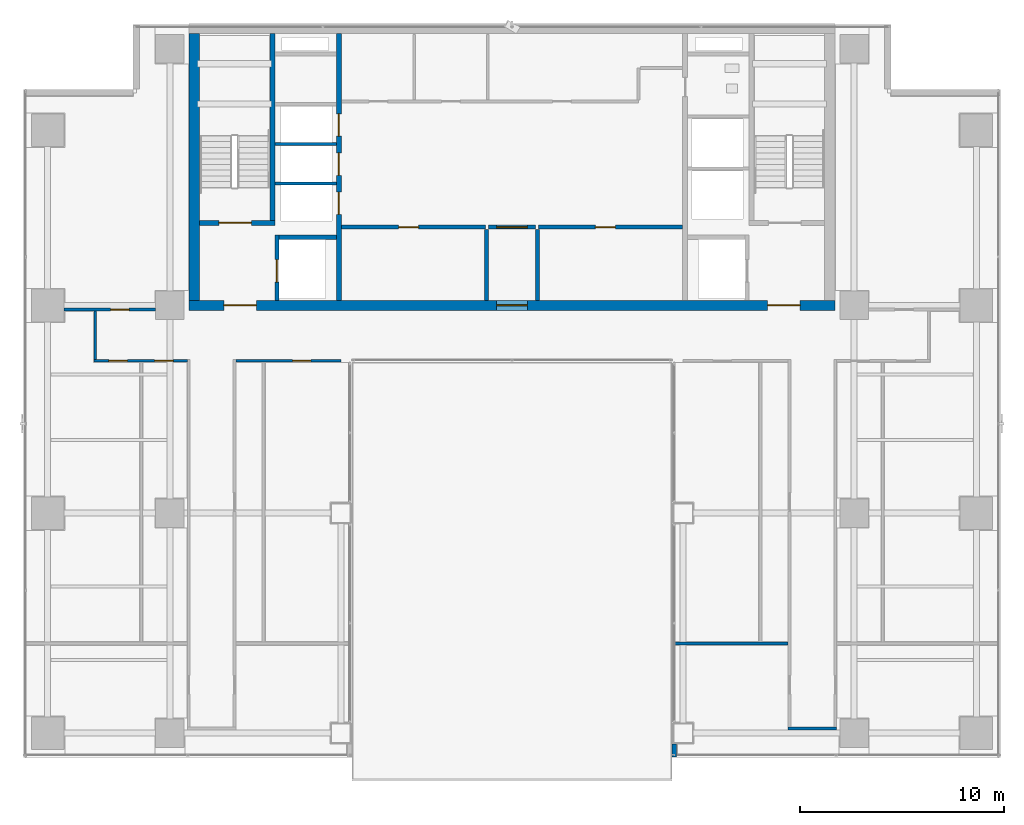
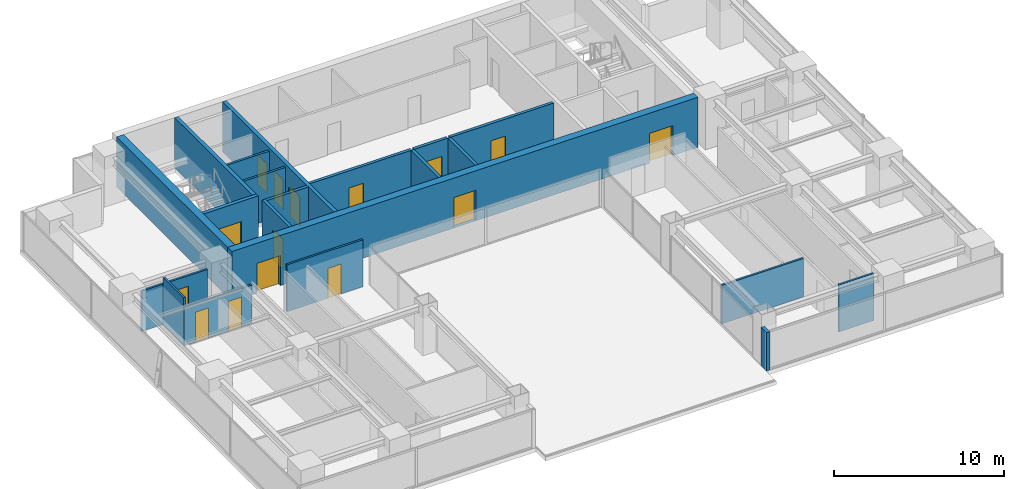
# One storey, part 24 of 30: 21 walls, 15 doors, 15 openings.
"""IFC4 building model written with IfcOpenShell, lengths in metres."""

import ifcopenshell
import ifcopenshell.guid

model = None  # the IFC model being written
_history = None  # IfcOwnerHistory: only IFC2X3 demands one
_inside = {}  # id of a spatial element -> (the spatial element, [elements in it])
_under = {}  # id of a project, library or spatial element -> (it, [spatial elements below it])
_declared = {}  # id of a project -> (the project, [libraries it declares])
_typed = {}  # id of a type object -> (the type object, [elements of that type])
_made_of = {}  # id of a material, layer set ... -> (it, [elements and type objects made of it])


def new_model(schema):
    """Start an empty IFC model of exactly this schema.

    Asked for "IFC4X3", IfcOpenShell would pick the latest addendum, in which some entities
    have other attributes; the version numbers below select the first issue.
    IFC2X3 requires an IfcOwnerHistory on every rooted entity: one is made here for all.
    """
    global model, _history
    if schema == "IFC4X3":
        model = ifcopenshell.file(schema_version=(4, 3, 0, 0))
    else:
        model = ifcopenshell.file(schema=schema)
    _inside.clear()
    _under.clear()
    _declared.clear()
    _typed.clear()
    _made_of.clear()
    _history = None
    if model.schema == "IFC2X3":
        org = make("IfcOrganization", Name="unknown")
        user = make(
            "IfcPersonAndOrganization",
            ThePerson=make("IfcPerson", FamilyName="unknown"),
            TheOrganization=org,
        )
        app = make(
            "IfcApplication",
            ApplicationDeveloper=org,
            Version="unknown",
            ApplicationFullName="unknown",
            ApplicationIdentifier="unknown",
        )
        _history = make(
            "IfcOwnerHistory",
            OwningUser=user,
            OwningApplication=app,
            ChangeAction="ADDED",
            CreationDate=0,
        )
    return model


def make(cls, **values):
    """One entity of the class cls with the attributes given. An attribute that is None is left unset."""
    return model.create_entity(
        cls, **{name: value for name, value in values.items() if value is not None}
    )


def rooted(cls, **values):
    """An entity with a GlobalId (a new one), such as an element, a storey or a relation."""
    return make(cls, GlobalId=ifcopenshell.guid.new(), OwnerHistory=_history, **values)


def si_unit(unit_type, name, prefix=None):
    """IfcSIUnit, for example si_unit("LENGTHUNIT", "METRE", prefix="MILLI")."""
    return make("IfcSIUnit", UnitType=unit_type, Prefix=prefix, Name=name)


def assignment(units):
    """IfcUnitAssignment: the units of a project."""
    return None if units is None else make("IfcUnitAssignment", Units=units)


def point(xyz):
    """IfcCartesianPoint."""
    return None if xyz is None else make("IfcCartesianPoint", Coordinates=xyz)


def direction(xyz):
    """IfcDirection."""
    return None if xyz is None else make("IfcDirection", DirectionRatios=xyz)


def frame(location, z_axis=None, x_axis=None):
    """IfcAxis2Placement3D, a coordinate frame: its origin and axes. An axis left out is left unset."""
    return make(
        "IfcAxis2Placement3D",
        Location=point(location),
        Axis=direction(z_axis),
        RefDirection=direction(x_axis),
    )


def frame_2d(location, x_axis=None):
    """IfcAxis2Placement2D, a coordinate frame in the plane: its origin and x axis."""
    return make(
        "IfcAxis2Placement2D", Location=point(location), RefDirection=direction(x_axis)
    )


def origin():
    """The frame at (0, 0, 0) with its axes left unset."""
    return frame((0.0, 0.0, 0.0))


def place(relative_to, where):
    """IfcLocalPlacement: puts the frame where relative to a parent placement (None: the world)."""
    return make(
        "IfcLocalPlacement", PlacementRelTo=relative_to, RelativePlacement=where
    )


def context(
    kind, dimensions, precision=None, world=None, true_north=None, identifier=None
):
    """IfcGeometricRepresentationContext, for example the 3D "Model" context."""
    return make(
        "IfcGeometricRepresentationContext",
        ContextIdentifier=identifier,
        ContextType=kind,
        CoordinateSpaceDimension=dimensions,
        Precision=precision,
        WorldCoordinateSystem=world,
        TrueNorth=true_north,
    )


def subcontext(parent, identifier, kind, view, scale=None):
    """IfcGeometricRepresentationSubContext, for example "Body" below "Model"."""
    return make(
        "IfcGeometricRepresentationSubContext",
        ContextIdentifier=identifier,
        ContextType=kind,
        ParentContext=parent,
        TargetScale=scale,
        TargetView=view,
    )


def project(units=None, contexts=None):
    """IfcProject with its units and contexts."""
    return rooted(
        "IfcProject",
        Name="project",
        RepresentationContexts=contexts,
        UnitsInContext=assignment(units),
    )


def spatial(cls, under=None, at=None, **own):
    """A site, building, storey or space (cls), placed at a placement, below another one or the project."""
    s = rooted(cls, ObjectPlacement=at, **own)
    if under is not None:
        _under.setdefault(under.id(), (under, []))[1].append(s)
    return s


def profile(cls, at=None, kind="AREA", **sizes):
    """A parametric profile (cls). Its sizes go by their IFC names, for example OverallWidth=200.0."""
    return make(cls, ProfileType=kind, Position=at, **sizes)


def rectangle(**sizes):
    """IfcRectangleProfileDef."""
    return profile("IfcRectangleProfileDef", **sizes)


def extrude(swept, where, along, depth):
    """IfcExtrudedAreaSolid: the profile swept, set in the frame where, extruded along a direction by depth."""
    return make(
        "IfcExtrudedAreaSolid",
        SweptArea=swept,
        Position=where,
        ExtrudedDirection=direction(along),
        Depth=depth,
    )


def shape(context_of_items, identifier, shape_type, items):
    """IfcShapeRepresentation: the items that make up one representation, for example the "Body"."""
    return make(
        "IfcShapeRepresentation",
        ContextOfItems=context_of_items,
        RepresentationIdentifier=identifier,
        RepresentationType=shape_type,
        Items=items,
    )


def source(mapping_origin, context_of_items, identifier, shape_type, items):
    """IfcRepresentationMap: a shape defined once, which mapped items show again and again."""
    return make(
        "IfcRepresentationMap",
        MappingOrigin=mapping_origin,
        MappedRepresentation=shape(context_of_items, identifier, shape_type, items),
    )


def transform(
    local_origin,
    x_axis=None,
    y_axis=None,
    z_axis=None,
    scale=None,
    scale2=None,
    scale3=None,
    uniform=True,
):
    """IfcCartesianTransformationOperator3D, or its non-uniform kind. x_axis, y_axis, z_axis: its Axis1, 2, 3."""
    if uniform:
        return make(
            "IfcCartesianTransformationOperator3D",
            Axis1=direction(x_axis),
            Axis2=direction(y_axis),
            LocalOrigin=point(local_origin),
            Scale=scale,
            Axis3=direction(z_axis),
        )
    return make(
        "IfcCartesianTransformationOperator3DnonUniform",
        Axis1=direction(x_axis),
        Axis2=direction(y_axis),
        LocalOrigin=point(local_origin),
        Scale=scale,
        Axis3=direction(z_axis),
        Scale2=scale2,
        Scale3=scale3,
    )


def mapped(mapping_source, mapping_target):
    """IfcMappedItem: shows the shape of a source again, moved by a transform."""
    return make(
        "IfcMappedItem", MappingSource=mapping_source, MappingTarget=mapping_target
    )


def material(Name=None, Category=None):
    """IfcMaterial."""
    return make("IfcMaterial", Name=Name, Category=Category)


def layer(
    of_material, thickness, ventilated=None, Name=None, Category=None, Priority=None
):
    """IfcMaterialLayer: one layer of a wall or slab, of a material (None: an air gap)."""
    return make(
        "IfcMaterialLayer",
        Material=of_material,
        LayerThickness=thickness,
        IsVentilated=ventilated,
        Name=Name,
        Category=Category,
        Priority=Priority,
    )


def layer_set(layers, Name=None):
    """IfcMaterialLayerSet."""
    return make("IfcMaterialLayerSet", MaterialLayers=layers, LayerSetName=Name)


def made_of(thing, what):
    """Note that an element or type object is made of a material, layer set ...; save() writes the relation."""
    if what is not None:
        _made_of.setdefault(what.id(), (what, []))[1].append(thing)
    return thing


def type_object(cls, material=None, **own):
    """A type object (cls), such as IfcWallType, which elements share."""
    return made_of(rooted(cls, **own), material)


def element(
    cls,
    number,
    at=None,
    inside=None,
    cuts=None,
    type_object=None,
    material=None,
    context=None,
    identifier="Body",
    shape_type=None,
    held_by="IfcProductDefinitionShape",
    body=None,
    shapes=None,
    **own,
):
    """One element of the class cls, such as IfcWall. Its Tag is "e" and its number.

    at: its placement. inside: the storey or other place that contains it. cuts: it is an
    opening in that element (IfcRelVoidsElement). A single representation is given by context,
    identifier, shape_type and body (its items); several are given by shapes. held_by: the class
    of the entity that holds the representations. save() writes the other relations.
    """
    e = rooted(cls, Tag="e%d" % number, ObjectPlacement=at, **own)
    if body is not None:
        shapes = [shape(context, identifier, shape_type, body)]
    if shapes is not None:
        e.Representation = make(held_by, Representations=shapes)
    if inside is not None:
        _inside.setdefault(inside.id(), (inside, []))[1].append(e)
    if cuts is not None:
        rooted(
            "IfcRelVoidsElement", RelatingBuildingElement=cuts, RelatedOpeningElement=e
        )
    if type_object is not None:
        _typed.setdefault(type_object.id(), (type_object, []))[1].append(e)
    return made_of(e, material)


def fill(opening, filler):
    """IfcRelFillsElement: the door or window that sits in an opening."""
    return rooted(
        "IfcRelFillsElement",
        RelatingOpeningElement=opening,
        RelatedBuildingElement=filler,
    )


def aggregate(whole, parts):
    """IfcRelAggregates: a whole, such as a stair, and the parts it consists of."""
    return rooted("IfcRelAggregates", RelatingObject=whole, RelatedObjects=parts)


def save(model, path):
    """Write the relations noted so far, then the file.

    IfcRelAggregates (storeys below a building ...), IfcRelContainedInSpatialStructure (elements
    in a storey), IfcRelDefinesByType, IfcRelAssociatesMaterial and IfcRelDeclares: one each for
    every whole, place, type object, material and project.
    """
    for whole, parts in _under.values():
        aggregate(whole, parts)
    for where, things in _inside.values():
        rooted(
            "IfcRelContainedInSpatialStructure",
            RelatedElements=things,
            RelatingStructure=where,
        )
    for kind, things in _typed.values():
        rooted("IfcRelDefinesByType", RelatedObjects=things, RelatingType=kind)
    for what, things in _made_of.values():
        rooted("IfcRelAssociatesMaterial", RelatedObjects=things, RelatingMaterial=what)
    for by, libraries in _declared.values():
        rooted("IfcRelDeclares", RelatingContext=by, RelatedDefinitions=libraries)
    model.write(path)


model = new_model("IFC4")

# Units and contexts
model_context = context("Model", 3, precision=1e-05, world=origin(), true_north=direction((0.0, 1.0)))
body_context = subcontext(model_context, "Body", "Model", "MODEL_VIEW")
ifc_project = project(units=[si_unit("LENGTHUNIT", "METRE"), si_unit("AREAUNIT", "SQUARE_METRE"), si_unit("VOLUMEUNIT", "CUBIC_METRE"), si_unit("PLANEANGLEUNIT", "RADIAN"), si_unit("MASSUNIT", "GRAM", prefix="KILO")], contexts=[model_context])

# Site, building, storey
site_placement = place(None, origin())
site = spatial("IfcSite", under=ifc_project, at=site_placement, CompositionType="ELEMENT")
building_placement = place(site_placement, origin())
building = spatial("IfcBuilding", under=site, at=building_placement, Name="Sumidabori Civic Tower", CompositionType="ELEMENT")
storey_placement = place(building_placement, frame((0.0, 0.0, 196.39990234375)))
storey = spatial("IfcBuildingStorey", under=building, at=storey_placement, Name="L50", CompositionType="ELEMENT", Elevation=196.39990234375)

# Wall
ifc_material_1 = material(Name="Concrete C50/60", Category="concrete")
ifc_layer_1 = layer(ifc_material_1, 0.199951171875, Name="Concrete C50/60")
ifc_layer_set_1 = layer_set([ifc_layer_1], Name="Concrete C50/60")
wall_type_1 = type_object("IfcWallType", Name="WL-SHAFT-200", PredefinedType="SHEAR", material=ifc_layer_set_1)
shared_shape_1 = source(origin(), body_context, "Body", "SweptSolid", [
    extrude(rectangle(XDim=2.824951171875, YDim=0.199951171875, at=frame_2d((1.41259765625, 0.0))), origin(), (0.0, 0.0, 1.0), 3.60009765625),
])
wall_1_placement = place(storey_placement, frame((-11.449951171875, 13.550048828125, 0.0), z_axis=(0.0, 0.0, 1.0), x_axis=(1.0, 0.0, 0.0)))
element("IfcWall", 1, at=wall_1_placement, inside=storey, type_object=wall_type_1, Name="Core Shear Wall L50 EL1-N", PredefinedType="SHEAR", context=body_context, shape_type="MappedRepresentation", body=[
    mapped(shared_shape_1, transform((0.0, 0.0, 0.0), x_axis=(1.0, 0.0, 0.0), y_axis=(0.0, 1.0, 0.0), z_axis=(0.0, 0.0, 1.0), scale=1.0)),
])

# Wall, openings, doors
ifc_layer_2 = layer(ifc_material_1, 0.5, Name="Concrete C50/60")
ifc_layer_set_2 = layer_set([ifc_layer_2], Name="Concrete C50/60")
wall_type_2 = type_object("IfcWallType", Name="WL-CORE-500", PredefinedType="SHEAR", material=ifc_layer_set_2)
shared_shape_2 = source(origin(), body_context, "Body", "SweptSolid", [
    extrude(rectangle(XDim=31.7001953125, YDim=0.5, at=frame_2d((15.85009765625, 0.0))), origin(), (0.0, 0.0, 1.0), 3.60009765625),
])
wall_2_placement = place(storey_placement, frame((-15.85009765625, 10.199951171875, 0.0), z_axis=(0.0, 0.0, 1.0), x_axis=(1.0, 0.0, 0.0)))
wall_2 = element("IfcWall", 2, at=wall_2_placement, inside=storey, type_object=wall_type_2, Name="Core Shear Wall L50 S", PredefinedType="SHEAR", context=body_context, shape_type="MappedRepresentation", body=[
    mapped(shared_shape_2, transform((0.0, 0.0, 0.0), x_axis=(1.0, 0.0, 0.0), y_axis=(0.0, 1.0, 0.0), z_axis=(0.0, 0.0, 1.0), scale=1.0)),
])
opening_1_placement = place(wall_2_placement, frame((1.699951171875, 0.0, 0.0)))
opening_1 = element("IfcOpeningElement", 3, at=opening_1_placement, cuts=wall_2, Name="Opening DR-FD4", PredefinedType="OPENING", context=body_context, shape_type="SweptSolid", body=[
    extrude(rectangle(XDim=1.60009765625, YDim=2.14990234375, at=frame_2d((0.800048828125, 1.074951171875))), frame((0.0, 0.261962890625, 0.0), z_axis=(0.0, -1.0, 0.0), x_axis=(1.0, 0.0, 0.0)), (0.0, 0.0, 1.0), 0.52392578125),
])
opening_2_placement = place(wall_2_placement, frame((28.39990234375, 0.0, 0.0)))
opening_2 = element("IfcOpeningElement", 4, at=opening_2_placement, cuts=wall_2, Name="Opening DR-FD4", PredefinedType="OPENING", context=body_context, shape_type="SweptSolid", body=[
    extrude(rectangle(XDim=1.60009765625, YDim=2.14990234375, at=frame_2d((0.800048828125, 1.074951171875))), frame((0.0, 0.261962890625, 0.0), z_axis=(0.0, -1.0, 0.0), x_axis=(1.0, 0.0, 0.0)), (0.0, 0.0, 1.0), 0.52392578125),
])
opening_3_placement = place(wall_2_placement, frame((15.10009765625, 0.0, 0.0)))
opening_3 = element("IfcOpeningElement", 5, at=opening_3_placement, cuts=wall_2, Name="Opening DR-FD3", PredefinedType="OPENING", context=body_context, shape_type="SweptSolid", body=[
    extrude(rectangle(XDim=1.5, YDim=2.199951171875, at=frame_2d((0.75, 1.10009765625))), frame((0.0, 0.261962890625, 0.0), z_axis=(0.0, -1.0, 0.0), x_axis=(1.0, 0.0, 0.0)), (0.0, 0.0, 1.0), 0.52392578125),
])
ifc_material_2 = material(Name="Steel SN490", Category="steel")
door_type_1 = type_object("IfcDoorType", Name="DR-FD4", OperationType="DOUBLE_DOOR_SINGLE_SWING", PredefinedType="DOOR", material=ifc_material_2)
shared_shape_3 = source(origin(), body_context, "Body", "SweptSolid", [
    extrude(rectangle(XDim=1.60009765625, YDim=2.14990234375, at=frame_2d((0.800048828125, 1.074951171875))), frame((0.0, 0.02490234375, 0.0), z_axis=(0.0, -1.0, 0.0), x_axis=(1.0, 0.0, 0.0)), (0.0, 0.0, 1.0), 0.050048828125),
])
door_1_placement = place(opening_1_placement, origin())
door_1 = element("IfcDoor", 6, at=door_1_placement, inside=storey, type_object=door_type_1, Name="Door DR:L50:ELOB-W", OperationType="DOUBLE_DOOR_SINGLE_SWING", OverallHeight=2.14990234375, OverallWidth=1.60009765625, PredefinedType="DOOR", context=body_context, shape_type="MappedRepresentation", body=[
    mapped(shared_shape_3, transform((0.0, 0.0, 0.0), x_axis=(1.0, 0.0, 0.0), y_axis=(0.0, 1.0, 0.0), z_axis=(0.0, 0.0, 1.0), scale=1.0)),
])
fill(opening_1, door_1)
door_2_placement = place(opening_2_placement, origin())
door_2 = element("IfcDoor", 7, at=door_2_placement, inside=storey, type_object=door_type_1, Name="Door DR:L50:ELOB-E", OperationType="DOUBLE_DOOR_SINGLE_SWING", OverallHeight=2.14990234375, OverallWidth=1.60009765625, PredefinedType="DOOR", context=body_context, shape_type="MappedRepresentation", body=[
    mapped(shared_shape_3, transform((0.0, 0.0, 0.0), x_axis=(1.0, 0.0, 0.0), y_axis=(0.0, 1.0, 0.0), z_axis=(0.0, 0.0, 1.0), scale=1.0)),
])
fill(opening_2, door_2)
door_type_2 = type_object("IfcDoorType", Name="DR-FD-DBL", OperationType="DOUBLE_DOOR_SINGLE_SWING", PredefinedType="DOOR", material=ifc_material_2)
shared_shape_4 = source(origin(), body_context, "Body", "SweptSolid", [
    extrude(rectangle(XDim=1.5, YDim=2.199951171875, at=frame_2d((0.75, 1.10009765625))), frame((0.0, 0.02490234375, 0.0), z_axis=(0.0, -1.0, 0.0), x_axis=(1.0, 0.0, 0.0)), (0.0, 0.0, 1.0), 0.050048828125),
])
door_3_placement = place(opening_3_placement, origin())
door_3 = element("IfcDoor", 8, at=door_3_placement, inside=storey, type_object=door_type_2, Name="Door DR:L50:THROAT-OUT", OperationType="DOUBLE_DOOR_SINGLE_SWING", OverallHeight=2.199951171875, OverallWidth=1.5, PredefinedType="DOOR", context=body_context, shape_type="MappedRepresentation", body=[
    mapped(shared_shape_4, transform((0.0, 0.0, 0.0), x_axis=(1.0, 0.0, 0.0), y_axis=(0.0, 1.0, 0.0), z_axis=(0.0, 0.0, 1.0), scale=1.0)),
])
fill(opening_3, door_3)

# Wall
shared_shape_5 = source(origin(), body_context, "Body", "SweptSolid", [
    extrude(rectangle(XDim=13.10009765625, YDim=0.5, at=frame_2d((6.550048828125, 0.0))), origin(), (0.0, 0.0, 1.0), 3.60009765625),
])
wall_3_placement = place(storey_placement, frame((-15.60009765625, 10.449951171875, 0.0), z_axis=(0.0, 0.0, 1.0), x_axis=(0.0, 1.0, 0.0)))
element("IfcWall", 9, at=wall_3_placement, inside=storey, type_object=wall_type_2, Name="Core Shear Wall L50 W", PredefinedType="SHEAR", context=body_context, shape_type="MappedRepresentation", body=[
    mapped(shared_shape_5, transform((0.0, 0.0, 0.0), x_axis=(1.0, 0.0, 0.0), y_axis=(0.0, 1.0, 0.0), z_axis=(0.0, 0.0, 1.0), scale=1.0)),
])

# Wall, openings, doors
ifc_layer_3 = layer(ifc_material_1, 0.25, Name="Concrete C50/60")
ifc_layer_set_3 = layer_set([ifc_layer_3], Name="Concrete C50/60")
wall_type_3 = type_object("IfcWallType", Name="WL-SHAFT-250", PredefinedType="SHEAR", material=ifc_layer_set_3)
shared_shape_6 = source(origin(), body_context, "Body", "SweptSolid", [
    extrude(rectangle(XDim=13.10009765625, YDim=0.25, at=frame_2d((6.550048828125, 0.0))), origin(), (0.0, 0.0, 1.0), 3.60009765625),
])
wall_4_placement = place(storey_placement, frame((-8.5, 10.449951171875, 0.0), z_axis=(0.0, 0.0, 1.0), x_axis=(0.0, 1.0, 0.0)))
wall_4 = element("IfcWall", 10, at=wall_4_placement, inside=storey, type_object=wall_type_3, Name="Core Shear Wall L50 WEB-W", PredefinedType="SHEAR", context=body_context, shape_type="MappedRepresentation", body=[
    mapped(shared_shape_6, transform((0.0, 0.0, 0.0), x_axis=(1.0, 0.0, 0.0), y_axis=(0.0, 1.0, 0.0), z_axis=(0.0, 0.0, 1.0), scale=1.0)),
])
opening_4_placement = place(wall_4_placement, frame((4.219970703125, 0.0, 0.0)))
opening_4 = element("IfcOpeningElement", 11, at=opening_4_placement, cuts=wall_4, Name="Opening LD-1", PredefinedType="OPENING", context=body_context, shape_type="SweptSolid", body=[
    extrude(rectangle(XDim=1.10009765625, YDim=2.14990234375, at=frame_2d((0.550048828125, 1.074951171875))), frame((0.0, 0.136962890625, 0.0), z_axis=(0.0, -1.0, 0.0), x_axis=(1.0, 0.0, 0.0)), (0.0, 0.0, 1.0), 0.27392578125),
])
opening_5_placement = place(wall_4_placement, frame((6.139892578125, 0.0, 0.0)))
opening_5 = element("IfcOpeningElement", 12, at=opening_5_placement, cuts=wall_4, Name="Opening LD-1", PredefinedType="OPENING", context=body_context, shape_type="SweptSolid", body=[
    extrude(rectangle(XDim=1.10009765625, YDim=2.14990234375, at=frame_2d((0.550048828125, 1.074951171875))), frame((0.0, 0.136962890625, 0.0), z_axis=(0.0, -1.0, 0.0), x_axis=(1.0, 0.0, 0.0)), (0.0, 0.0, 1.0), 0.27392578125),
])
opening_6_placement = place(wall_4_placement, frame((8.06005859375, 0.0, 0.0)))
opening_6 = element("IfcOpeningElement", 13, at=opening_6_placement, cuts=wall_4, Name="Opening LD-1", PredefinedType="OPENING", context=body_context, shape_type="SweptSolid", body=[
    extrude(rectangle(XDim=1.10009765625, YDim=2.14990234375, at=frame_2d((0.550048828125, 1.074951171875))), frame((0.0, 0.136962890625, 0.0), z_axis=(0.0, -1.0, 0.0), x_axis=(1.0, 0.0, 0.0)), (0.0, 0.0, 1.0), 0.27392578125),
])
ifc_material_3 = material(Name="Stainless Steel Hairline Finish", Category="steel")
door_type_3 = type_object("IfcDoorType", Name="DR-LD1", OperationType="DOUBLE_DOOR_SLIDING", PredefinedType="DOOR", material=ifc_material_3)
shared_shape_7 = source(origin(), body_context, "Body", "SweptSolid", [
    extrude(rectangle(XDim=1.10009765625, YDim=2.14990234375, at=frame_2d((0.550048828125, 1.074951171875))), frame((0.0, 0.02490234375, 0.0), z_axis=(0.0, -1.0, 0.0), x_axis=(1.0, 0.0, 0.0)), (0.0, 0.0, 1.0), 0.050048828125),
])
door_4_placement = place(opening_4_placement, origin())
door_4 = element("IfcDoor", 14, at=door_4_placement, inside=storey, type_object=door_type_3, Name="Door DR:L50:LD-PLH1", OperationType="DOUBLE_DOOR_SLIDING", OverallHeight=2.14990234375, OverallWidth=1.10009765625, PredefinedType="DOOR", context=body_context, shape_type="MappedRepresentation", body=[
    mapped(shared_shape_7, transform((0.0, 0.0, 0.0), x_axis=(1.0, 0.0, 0.0), y_axis=(0.0, 1.0, 0.0), z_axis=(0.0, 0.0, 1.0), scale=1.0)),
])
fill(opening_4, door_4)
door_5_placement = place(opening_5_placement, origin())
door_5 = element("IfcDoor", 15, at=door_5_placement, inside=storey, type_object=door_type_3, Name="Door DR:L50:LD-PLH2", OperationType="DOUBLE_DOOR_SLIDING", OverallHeight=2.14990234375, OverallWidth=1.10009765625, PredefinedType="DOOR", context=body_context, shape_type="MappedRepresentation", body=[
    mapped(shared_shape_7, transform((0.0, 0.0, 0.0), x_axis=(1.0, 0.0, 0.0), y_axis=(0.0, 1.0, 0.0), z_axis=(0.0, 0.0, 1.0), scale=1.0)),
])
fill(opening_5, door_5)
door_6_placement = place(opening_6_placement, origin())
door_6 = element("IfcDoor", 16, at=door_6_placement, inside=storey, type_object=door_type_3, Name="Door DR:L50:LD-PLH3", OperationType="DOUBLE_DOOR_SLIDING", OverallHeight=2.14990234375, OverallWidth=1.10009765625, PredefinedType="DOOR", context=body_context, shape_type="MappedRepresentation", body=[
    mapped(shared_shape_7, transform((0.0, 0.0, 0.0), x_axis=(1.0, 0.0, 0.0), y_axis=(0.0, 1.0, 0.0), z_axis=(0.0, 0.0, 1.0), scale=1.0)),
])
fill(opening_6, door_6)

# Wall, opening, door
shared_shape_8 = source(origin(), body_context, "Body", "SweptSolid", [
    extrude(rectangle(XDim=3.705078125, YDim=0.25, at=frame_2d((1.8525390625, 0.0))), origin(), (0.0, 0.0, 1.0), 3.60009765625),
])
wall_5_placement = place(storey_placement, frame((-15.35009765625, 14.25, 0.0), z_axis=(0.0, 0.0, 1.0), x_axis=(1.0, 0.0, 0.0)))
wall_5 = element("IfcWall", 17, at=wall_5_placement, inside=storey, type_object=wall_type_3, Name="Core Shear Wall L50 ST1-S", PredefinedType="SHEAR", context=body_context, shape_type="MappedRepresentation", body=[
    mapped(shared_shape_8, transform((0.0, 0.0, 0.0), x_axis=(1.0, 0.0, 0.0), y_axis=(0.0, 1.0, 0.0), z_axis=(0.0, 0.0, 1.0), scale=1.0)),
])
opening_7_placement = place(wall_5_placement, frame((0.949951171875, 0.0, 0.0)))
opening_7 = element("IfcOpeningElement", 18, at=opening_7_placement, cuts=wall_5, Name="Opening DR-FD4", PredefinedType="OPENING", context=body_context, shape_type="SweptSolid", body=[
    extrude(rectangle(XDim=1.60009765625, YDim=2.14990234375, at=frame_2d((0.800048828125, 1.074951171875))), frame((0.0, 0.136962890625, 0.0), z_axis=(0.0, -1.0, 0.0), x_axis=(1.0, 0.0, 0.0)), (0.0, 0.0, 1.0), 0.27392578125),
])
door_7_placement = place(opening_7_placement, origin())
door_7 = element("IfcDoor", 19, at=door_7_placement, inside=storey, type_object=door_type_1, Name="Door DR:L50:ST1", OperationType="DOUBLE_DOOR_SINGLE_SWING", OverallHeight=2.14990234375, OverallWidth=1.60009765625, PredefinedType="DOOR", context=body_context, shape_type="MappedRepresentation", body=[
    mapped(shared_shape_3, transform((0.0, 0.0, 0.0), x_axis=(1.0, 0.0, 0.0), y_axis=(0.0, 1.0, 0.0), z_axis=(0.0, 0.0, 1.0), scale=1.0)),
])
fill(opening_7, door_7)

# Wall
shared_shape_9 = source(origin(), body_context, "Body", "SweptSolid", [
    extrude(rectangle(XDim=9.175048828125, YDim=0.25, at=frame_2d((4.58740234375, 0.0))), origin(), (0.0, 0.0, 1.0), 3.60009765625),
])
wall_6_placement = place(storey_placement, frame((-11.77001953125, 14.375, 0.0), z_axis=(0.0, 0.0, 1.0), x_axis=(0.0, 1.0, 0.0)))
element("IfcWall", 20, at=wall_6_placement, inside=storey, type_object=wall_type_3, Name="Core Shear Wall L50 ST1-E", PredefinedType="SHEAR", context=body_context, shape_type="MappedRepresentation", body=[
    mapped(shared_shape_9, transform((0.0, 0.0, 0.0), x_axis=(1.0, 0.0, 0.0), y_axis=(0.0, 1.0, 0.0), z_axis=(0.0, 0.0, 1.0), scale=1.0)),
])

# Wall, opening, door
shared_shape_10 = source(origin(), body_context, "Body", "SweptSolid", [
    extrude(rectangle(XDim=3.199951171875, YDim=0.199951171875, at=frame_2d((1.60009765625, 0.0))), origin(), (0.0, 0.0, 1.0), 3.60009765625),
])
wall_7_placement = place(storey_placement, frame((-11.550048828125, 10.449951171875, 0.0), z_axis=(0.0, 0.0, 1.0), x_axis=(0.0, 1.0, 0.0)))
wall_7 = element("IfcWall", 21, at=wall_7_placement, inside=storey, type_object=wall_type_1, Name="Core Shear Wall L50 EL1-W", PredefinedType="SHEAR", context=body_context, shape_type="MappedRepresentation", body=[
    mapped(shared_shape_10, transform((0.0, 0.0, 0.0), x_axis=(1.0, 0.0, 0.0), y_axis=(0.0, 1.0, 0.0), z_axis=(0.0, 0.0, 1.0), scale=1.0)),
])
opening_8_placement = place(wall_7_placement, frame((0.89990234375, 0.0, 0.0)))
opening_8 = element("IfcOpeningElement", 22, at=opening_8_placement, cuts=wall_7, Name="Opening LD-2", PredefinedType="OPENING", context=body_context, shape_type="SweptSolid", body=[
    extrude(rectangle(XDim=1.10009765625, YDim=2.14990234375, at=frame_2d((0.550048828125, 1.074951171875))), frame((0.0, 0.11181640625, 0.0), z_axis=(0.0, -1.0, 0.0), x_axis=(1.0, 0.0, 0.0)), (0.0, 0.0, 1.0), 0.223876953125),
])
door_type_4 = type_object("IfcDoorType", Name="DR-LD2", OperationType="DOUBLE_DOOR_SLIDING", PredefinedType="DOOR", material=ifc_material_3)
door_8_placement = place(opening_8_placement, origin())
door_8 = element("IfcDoor", 23, at=door_8_placement, inside=storey, type_object=door_type_4, Name="Door DR:L50:LD-EL1", OperationType="DOUBLE_DOOR_SLIDING", OverallHeight=2.14990234375, OverallWidth=1.10009765625, PredefinedType="DOOR", context=body_context, shape_type="MappedRepresentation", body=[
    mapped(shared_shape_7, transform((0.0, 0.0, 0.0), x_axis=(1.0, 0.0, 0.0), y_axis=(0.0, 1.0, 0.0), z_axis=(0.0, 0.0, 1.0), scale=1.0)),
])
fill(opening_8, door_8)

# Walls
ifc_material_4 = material(Name="Precast concrete C40/50", Category="concrete")
ifc_layer_4 = layer(ifc_material_4, 0.300048828125, Name="Precast concrete C40/50")
ifc_layer_set_4 = layer_set([ifc_layer_4], Name="Precast concrete C40/50")
wall_type_4 = type_object("IfcWallType", Name="WL-EXT-POD300", PredefinedType="STANDARD", material=ifc_layer_set_4)
shared_shape_11 = source(origin(), body_context, "Body", "SweptSolid", [
    extrude(rectangle(XDim=0.639892578125, YDim=0.239990234375, at=frame_2d((0.31982421875, 0.0))), origin(), (0.0, 0.0, 1.0), 2.760009765625),
])
wall_8_placement = place(storey_placement, frame((7.969970703125, -11.330078125, 0.0), z_axis=(0.0, 0.0, 1.0), x_axis=(0.0, -1.0, 0.0)))
element("IfcWall", 24, at=wall_8_placement, inside=storey, type_object=wall_type_4, Name="Perimeter Pier Spandrel L50-08", PredefinedType="STANDARD", context=body_context, shape_type="MappedRepresentation", body=[
    mapped(shared_shape_11, transform((0.0, 0.0, 0.0), x_axis=(1.0, 0.0, 0.0), y_axis=(0.0, 1.0, 0.0), z_axis=(0.0, 0.0, 1.0), scale=1.0)),
])
ifc_material_5 = material(Name="Gypsum Plasterboard Acoustic Partition")
ifc_layer_5 = layer(ifc_material_5, 0.14990234375, Name="Gypsum Plasterboard Acoustic Partition")
ifc_layer_set_5 = layer_set([ifc_layer_5], Name="Gypsum Plasterboard Acoustic Partition")
wall_type_5 = type_object("IfcWallType", Name="WL-PART-150", PredefinedType="PARTITIONING", material=ifc_layer_set_5)
shared_shape_12 = source(origin(), body_context, "Body", "SweptSolid", [
    extrude(rectangle(XDim=3.010009765625, YDim=0.14990234375, at=frame_2d((1.5048828125, 0.0))), origin(), (0.0, 0.0, 1.0), 3.380126953125),
])
for number, where, z_axis, x_axis, name in (
    (25, (-11.639892578125, 16.199951171875, 0.0), (0.0, 0.0, 1.0), (1.0, 0.0, 0.0), "Interior Partition WL:L50:DIV-PLH1"),
    (26, (-11.639892578125, 18.1201171875, 0.0), (0.0, 0.0, 1.0), (1.0, 0.0, 0.0), "Interior Partition WL:L50:DIV-PLH2"),
):
    element("IfcWall", number, at=place(storey_placement, frame(where, z_axis=z_axis, x_axis=x_axis)), inside=storey, type_object=wall_type_5, Name=name, PredefinedType="PARTITIONING", context=body_context, shape_type="MappedRepresentation", body=[
        mapped(shared_shape_12, transform((0.0, 0.0, 0.0), x_axis=(1.0, 0.0, 0.0), y_axis=(0.0, 1.0, 0.0), z_axis=(0.0, 0.0, 1.0), scale=1.0)),
    ])

# Wall, opening, door
ifc_material_6 = material(Name="Gypsum Plasterboard Fire Partition")
ifc_layer_6 = layer(ifc_material_6, 0.199951171875, Name="Gypsum Plasterboard Fire Partition")
ifc_layer_set_6 = layer_set([ifc_layer_6], Name="Gypsum Plasterboard Fire Partition")
wall_type_6 = type_object("IfcWallType", Name="WL-PART-FIRE", PredefinedType="PARTITIONING", material=ifc_layer_set_6)
shared_shape_13 = source(origin(), body_context, "Body", "SweptSolid", [
    extrude(rectangle(XDim=7.070068359375, YDim=0.199951171875, at=frame_2d((3.53515625, 0.0))), origin(), (0.0, 0.0, 1.0), 3.380126953125),
])
wall_9_placement = place(storey_placement, frame((-8.3701171875, 14.050048828125, 0.0), z_axis=(0.0, 0.0, 1.0), x_axis=(1.0, 0.0, 0.0)))
wall_9 = element("IfcWall", 27, at=wall_9_placement, inside=storey, type_object=wall_type_6, Name="Interior Partition WL:L50:CBAND-SW", PredefinedType="PARTITIONING", context=body_context, shape_type="MappedRepresentation", body=[
    mapped(shared_shape_13, transform((0.0, 0.0, 0.0), x_axis=(1.0, 0.0, 0.0), y_axis=(0.0, 1.0, 0.0), z_axis=(0.0, 0.0, 1.0), scale=1.0)),
])
opening_9_placement = place(wall_9_placement, frame((2.800048828125, 0.0, 0.0)))
opening_9 = element("IfcOpeningElement", 28, at=opening_9_placement, cuts=wall_9, Name="Opening DR-3", PredefinedType="OPENING", context=body_context, shape_type="SweptSolid", body=[
    extrude(rectangle(XDim=0.97998046875, YDim=2.14990234375, at=frame_2d((0.489990234375, 1.074951171875))), frame((0.0, 0.11181640625, 0.0), z_axis=(0.0, -1.0, 0.0), x_axis=(1.0, 0.0, 0.0)), (0.0, 0.0, 1.0), 0.223876953125),
])
ifc_material_7 = material(Name="Japanese Hinoki Timber", Category="wood")
door_type_5 = type_object("IfcDoorType", Name="DR-INT-980", OperationType="NOTDEFINED", PredefinedType="DOOR", material=ifc_material_7)
shared_shape_14 = source(origin(), body_context, "Body", "SweptSolid", [
    extrude(rectangle(XDim=0.97998046875, YDim=2.14990234375, at=frame_2d((0.489990234375, 1.074951171875))), frame((0.0, 0.02490234375, 0.0), z_axis=(0.0, -1.0, 0.0), x_axis=(1.0, 0.0, 0.0)), (0.0, 0.0, 1.0), 0.050048828125),
])
door_9_placement = place(opening_9_placement, origin())
door_9 = element("IfcDoor", 29, at=door_9_placement, inside=storey, type_object=door_type_5, Name="Door DR:L50:REC-B1", OperationType="SINGLE_SWING_LEFT", OverallHeight=2.14990234375, OverallWidth=0.97998046875, PredefinedType="DOOR", context=body_context, shape_type="MappedRepresentation", body=[
    mapped(shared_shape_14, transform((0.0, 0.0, 0.0), x_axis=(1.0, 0.0, 0.0), y_axis=(0.0, 1.0, 0.0), z_axis=(0.0, 0.0, 1.0), scale=1.0)),
])
fill(opening_9, door_9)

wall_10_placement = place(storey_placement, frame((1.300048828125, 14.050048828125, 0.0), z_axis=(0.0, 0.0, 1.0), x_axis=(1.0, 0.0, 0.0)))
wall_10 = element("IfcWall", 30, at=wall_10_placement, inside=storey, type_object=wall_type_6, Name="Interior Partition WL:L50:CBAND-SE", PredefinedType="PARTITIONING", context=body_context, shape_type="MappedRepresentation", body=[
    mapped(shared_shape_13, transform((0.0, 0.0, 0.0), x_axis=(1.0, 0.0, 0.0), y_axis=(0.0, 1.0, 0.0), z_axis=(0.0, 0.0, 1.0), scale=1.0)),
])
opening_10_placement = place(wall_10_placement, frame((2.800048828125, 0.0, 0.0)))
opening_10 = element("IfcOpeningElement", 31, at=opening_10_placement, cuts=wall_10, Name="Opening DR-3", PredefinedType="OPENING", context=body_context, shape_type="SweptSolid", body=[
    extrude(rectangle(XDim=0.97998046875, YDim=2.14990234375, at=frame_2d((0.489990234375, 1.074951171875))), frame((0.0, 0.11181640625, 0.0), z_axis=(0.0, -1.0, 0.0), x_axis=(1.0, 0.0, 0.0)), (0.0, 0.0, 1.0), 0.223876953125),
])
door_10_placement = place(opening_10_placement, origin())
door_10 = element("IfcDoor", 32, at=door_10_placement, inside=storey, type_object=door_type_5, Name="Door DR:L50:REC-B2", OperationType="SINGLE_SWING_RIGHT", OverallHeight=2.14990234375, OverallWidth=0.97998046875, PredefinedType="DOOR", context=body_context, shape_type="MappedRepresentation", body=[
    mapped(shared_shape_14, transform((0.0, 0.0, 0.0), x_axis=(1.0, 0.0, 0.0), y_axis=(0.0, 1.0, 0.0), z_axis=(0.0, 0.0, 1.0), scale=1.0)),
])
fill(opening_10, door_10)

shared_shape_15 = source(origin(), body_context, "Body", "SweptSolid", [
    extrude(rectangle(XDim=2.2998046875, YDim=0.199951171875, at=frame_2d((1.14990234375, 0.0))), origin(), (0.0, 0.0, 1.0), 3.380126953125),
])
wall_11_placement = place(storey_placement, frame((-1.14990234375, 14.050048828125, 0.0), z_axis=(0.0, 0.0, 1.0), x_axis=(1.0, 0.0, 0.0)))
wall_11 = element("IfcWall", 33, at=wall_11_placement, inside=storey, type_object=wall_type_6, Name="Interior Partition WL:L50:THROAT-N", PredefinedType="PARTITIONING", context=body_context, shape_type="MappedRepresentation", body=[
    mapped(shared_shape_15, transform((0.0, 0.0, 0.0), x_axis=(1.0, 0.0, 0.0), y_axis=(0.0, 1.0, 0.0), z_axis=(0.0, 0.0, 1.0), scale=1.0)),
])
opening_11_placement = place(wall_11_placement, frame((0.39990234375, 0.0, 0.0)))
opening_11 = element("IfcOpeningElement", 34, at=opening_11_placement, cuts=wall_11, Name="Opening DR-FD3", PredefinedType="OPENING", context=body_context, shape_type="SweptSolid", body=[
    extrude(rectangle(XDim=1.5, YDim=2.199951171875, at=frame_2d((0.75, 1.10009765625))), frame((0.0, 0.11181640625, 0.0), z_axis=(0.0, -1.0, 0.0), x_axis=(1.0, 0.0, 0.0)), (0.0, 0.0, 1.0), 0.223876953125),
])
door_11_placement = place(opening_11_placement, origin())
door_11 = element("IfcDoor", 35, at=door_11_placement, inside=storey, type_object=door_type_2, Name="Door DR:L50:THROAT-IN", OperationType="DOUBLE_DOOR_SINGLE_SWING", OverallHeight=2.199951171875, OverallWidth=1.5, PredefinedType="DOOR", context=body_context, shape_type="MappedRepresentation", body=[
    mapped(shared_shape_4, transform((0.0, 0.0, 0.0), x_axis=(1.0, 0.0, 0.0), y_axis=(0.0, 1.0, 0.0), z_axis=(0.0, 0.0, 1.0), scale=1.0)),
])
fill(opening_11, door_11)

# Walls
shared_shape_16 = source(origin(), body_context, "Body", "SweptSolid", [
    extrude(rectangle(XDim=3.489990234375, YDim=0.199951171875, at=frame_2d((1.7451171875, 0.0))), origin(), (0.0, 0.0, 1.0), 3.380126953125),
])
for number, where, z_axis, x_axis, name in (
    (36, (-1.25, 10.449951171875, 0.0), (0.0, 0.0, 1.0), (0.0, 1.0, 0.0), "Interior Partition WL:L50:THROAT-W"),
    (37, (1.25, 10.449951171875, 0.0), (0.0, 0.0, 1.0), (0.0, 1.0, 0.0), "Interior Partition WL:L50:THROAT-E"),
):
    element("IfcWall", number, at=place(storey_placement, frame(where, z_axis=z_axis, x_axis=x_axis)), inside=storey, type_object=wall_type_6, Name=name, PredefinedType="PARTITIONING", context=body_context, shape_type="MappedRepresentation", body=[
        mapped(shared_shape_16, transform((0.0, 0.0, 0.0), x_axis=(1.0, 0.0, 0.0), y_axis=(0.0, 1.0, 0.0), z_axis=(0.0, 0.0, 1.0), scale=1.0)),
    ])

# Wall, opening, door
ifc_layer_7 = layer(ifc_material_5, 0.135009765625, Name="Gypsum Plasterboard Acoustic Partition")
ifc_layer_set_7 = layer_set([ifc_layer_7], Name="Gypsum Plasterboard Acoustic Partition")
wall_type_7 = type_object("IfcWallType", Name="WL-PART-135", PredefinedType="PARTITIONING", material=ifc_layer_set_7)
shared_shape_17 = source(origin(), body_context, "Body", "SweptSolid", [
    extrude(rectangle(XDim=4.47998046875, YDim=0.135009765625, at=frame_2d((2.239990234375, 0.0))), origin(), (0.0, 0.0, 1.0), 2.9150390625),
])
wall_12_placement = place(storey_placement, frame((-21.989990234375, 10.0, 0.0), z_axis=(0.0, 0.0, 1.0), x_axis=(1.0, 0.0, 0.0)))
wall_12 = element("IfcWall", 38, at=wall_12_placement, inside=storey, type_object=wall_type_7, Name="Interior Partition WL:L50:FLK-NW", PredefinedType="PARTITIONING", context=body_context, shape_type="MappedRepresentation", body=[
    mapped(shared_shape_17, transform((0.0, 0.0, 0.0), x_axis=(1.0, 0.0, 0.0), y_axis=(0.0, 1.0, 0.0), z_axis=(0.0, 0.0, 1.0), scale=1.0)),
])
opening_12_placement = place(wall_12_placement, frame((2.284912109375, 0.0, 0.0)))
opening_12 = element("IfcOpeningElement", 39, at=opening_12_placement, cuts=wall_12, Name="Opening DR-1", PredefinedType="OPENING", context=body_context, shape_type="SweptSolid", body=[
    extrude(rectangle(XDim=0.89990234375, YDim=2.14990234375, at=frame_2d((0.449951171875, 1.074951171875))), frame((0.0, 0.07958984375, 0.0), z_axis=(0.0, -1.0, 0.0), x_axis=(1.0, 0.0, 0.0)), (0.0, 0.0, 1.0), 0.158935546875),
])
door_type_6 = type_object("IfcDoorType", Name="DR-INT-900", OperationType="NOTDEFINED", PredefinedType="DOOR", material=ifc_material_7)
shared_shape_18 = source(origin(), body_context, "Body", "SweptSolid", [
    extrude(rectangle(XDim=0.89990234375, YDim=2.14990234375, at=frame_2d((0.449951171875, 1.074951171875))), frame((0.0, 0.02490234375, 0.0), z_axis=(0.0, -1.0, 0.0), x_axis=(1.0, 0.0, 0.0)), (0.0, 0.0, 1.0), 0.050048828125),
])
door_12_placement = place(opening_12_placement, origin())
door_12 = element("IfcDoor", 40, at=door_12_placement, inside=storey, type_object=door_type_6, Name="Door DR:L50:FLK-NW", OperationType="SINGLE_SWING_LEFT", OverallHeight=2.14990234375, OverallWidth=0.89990234375, PredefinedType="DOOR", context=body_context, shape_type="MappedRepresentation", body=[
    mapped(shared_shape_18, transform((0.0, 0.0, 0.0), x_axis=(1.0, 0.0, 0.0), y_axis=(0.0, 1.0, 0.0), z_axis=(0.0, 0.0, 1.0), scale=1.0)),
])
fill(opening_12, door_12)

# Wall, openings, doors
shared_shape_19 = source(origin(), body_context, "Body", "SweptSolid", [
    extrude(rectangle(XDim=4.599853515625, YDim=0.135009765625, at=frame_2d((2.2998046875, 0.0))), origin(), (0.0, 0.0, 1.0), 2.76513671875),
])
wall_13_placement = place(storey_placement, frame((-20.534912109375, 7.482421875, 0.0), z_axis=(0.0, 0.0, 1.0), x_axis=(1.0, 0.0, 0.0)))
wall_13 = element("IfcWall", 41, at=wall_13_placement, inside=storey, type_object=wall_type_7, Name="Interior Partition WL:L50:CORR-SWO", PredefinedType="PARTITIONING", context=body_context, shape_type="MappedRepresentation", body=[
    mapped(shared_shape_19, transform((0.0, 0.0, 0.0), x_axis=(1.0, 0.0, 0.0), y_axis=(0.0, 1.0, 0.0), z_axis=(0.0, 0.0, 1.0), scale=1.0)),
])
opening_13_placement = place(wall_13_placement, frame((0.743896484375, 0.0, 0.0)))
opening_13 = element("IfcOpeningElement", 42, at=opening_13_placement, cuts=wall_13, Name="Opening DR-1", PredefinedType="OPENING", context=body_context, shape_type="SweptSolid", body=[
    extrude(rectangle(XDim=0.89990234375, YDim=2.14990234375, at=frame_2d((0.449951171875, 1.074951171875))), frame((0.0, 0.07958984375, 0.0), z_axis=(0.0, -1.0, 0.0), x_axis=(1.0, 0.0, 0.0)), (0.0, 0.0, 1.0), 0.158935546875),
])
opening_14_placement = place(wall_13_placement, frame((2.9912109375, 0.0, 0.0)))
opening_14 = element("IfcOpeningElement", 43, at=opening_14_placement, cuts=wall_13, Name="Opening DR-1", PredefinedType="OPENING", context=body_context, shape_type="SweptSolid", body=[
    extrude(rectangle(XDim=0.89990234375, YDim=2.14990234375, at=frame_2d((0.449951171875, 1.074951171875))), frame((0.0, 0.07958984375, 0.0), z_axis=(0.0, -1.0, 0.0), x_axis=(1.0, 0.0, 0.0)), (0.0, 0.0, 1.0), 0.158935546875),
])
door_13_placement = place(opening_13_placement, origin())
door_13 = element("IfcDoor", 44, at=door_13_placement, inside=storey, type_object=door_type_6, Name="Door DR:L50:D03", OperationType="SINGLE_SWING_LEFT", OverallHeight=2.14990234375, OverallWidth=0.89990234375, PredefinedType="DOOR", context=body_context, shape_type="MappedRepresentation", body=[
    mapped(shared_shape_18, transform((0.0, 0.0, 0.0), x_axis=(1.0, 0.0, 0.0), y_axis=(0.0, 1.0, 0.0), z_axis=(0.0, 0.0, 1.0), scale=1.0)),
])
fill(opening_13, door_13)
door_14_placement = place(opening_14_placement, origin())
door_14 = element("IfcDoor", 45, at=door_14_placement, inside=storey, type_object=door_type_6, Name="Door DR:L50:D05", OperationType="SINGLE_SWING_LEFT", OverallHeight=2.14990234375, OverallWidth=0.89990234375, PredefinedType="DOOR", context=body_context, shape_type="MappedRepresentation", body=[
    mapped(shared_shape_18, transform((0.0, 0.0, 0.0), x_axis=(1.0, 0.0, 0.0), y_axis=(0.0, 1.0, 0.0), z_axis=(0.0, 0.0, 1.0), scale=1.0)),
])
fill(opening_14, door_14)

# Wall, opening, door
shared_shape_20 = source(origin(), body_context, "Body", "SweptSolid", [
    extrude(rectangle(XDim=5.1650390625, YDim=0.135009765625, at=frame_2d((2.58251953125, 0.0))), origin(), (0.0, 0.0, 1.0), 3.380126953125),
])
wall_14_placement = place(storey_placement, frame((-13.56494140625, 7.482421875, 0.0), z_axis=(0.0, 0.0, 1.0), x_axis=(1.0, 0.0, 0.0)))
wall_14 = element("IfcWall", 46, at=wall_14_placement, inside=storey, type_object=wall_type_7, Name="Interior Partition WL:L50:CORR-SWI", PredefinedType="PARTITIONING", context=body_context, shape_type="MappedRepresentation", body=[
    mapped(shared_shape_20, transform((0.0, 0.0, 0.0), x_axis=(1.0, 0.0, 0.0), y_axis=(0.0, 1.0, 0.0), z_axis=(0.0, 0.0, 1.0), scale=1.0)),
])
opening_15_placement = place(wall_14_placement, frame((2.788818359375, 0.0, 0.0)))
opening_15 = element("IfcOpeningElement", 47, at=opening_15_placement, cuts=wall_14, Name="Opening DR-1", PredefinedType="OPENING", context=body_context, shape_type="SweptSolid", body=[
    extrude(rectangle(XDim=0.89990234375, YDim=2.14990234375, at=frame_2d((0.449951171875, 1.074951171875))), frame((0.0, 0.07958984375, 0.0), z_axis=(0.0, -1.0, 0.0), x_axis=(1.0, 0.0, 0.0)), (0.0, 0.0, 1.0), 0.158935546875),
])
door_15_placement = place(opening_15_placement, origin())
door_15 = element("IfcDoor", 48, at=door_15_placement, inside=storey, type_object=door_type_6, Name="Door DR:L50:D06", OperationType="SINGLE_SWING_RIGHT", OverallHeight=2.14990234375, OverallWidth=0.89990234375, PredefinedType="DOOR", context=body_context, shape_type="MappedRepresentation", body=[
    mapped(shared_shape_18, transform((0.0, 0.0, 0.0), x_axis=(1.0, 0.0, 0.0), y_axis=(0.0, 1.0, 0.0), z_axis=(0.0, 0.0, 1.0), scale=1.0)),
])
fill(opening_15, door_15)

# Walls
shared_shape_21 = source(origin(), body_context, "Body", "SweptSolid", [
    extrude(rectangle(XDim=2.3701171875, YDim=0.135009765625, at=frame_2d((1.18505859375, 0.0))), origin(), (0.0, 0.0, 1.0), 3.380126953125),
])
wall_15_placement = place(storey_placement, frame((13.56494140625, -10.5673828125, 0.0), z_axis=(0.0, 0.0, 1.0), x_axis=(1.0, 0.0, 0.0)))
element("IfcWall", 49, at=wall_15_placement, inside=storey, type_object=wall_type_7, Name="Interior Partition WL:L50:CORR-CAP-E", PredefinedType="PARTITIONING", context=body_context, shape_type="MappedRepresentation", body=[
    mapped(shared_shape_21, transform((0.0, 0.0, 0.0), x_axis=(1.0, 0.0, 0.0), y_axis=(0.0, 1.0, 0.0), z_axis=(0.0, 0.0, 1.0), scale=1.0)),
])
shared_shape_22 = source(origin(), body_context, "Body", "SweptSolid", [
    extrude(rectangle(XDim=2.37255859375, YDim=0.135009765625, at=frame_2d((1.186279296875, 0.0))), origin(), (0.0, 0.0, 1.0), 3.380126953125),
])
wall_16_placement = place(storey_placement, frame((-20.467529296875, 7.554931640625, 0.0), z_axis=(0.0, 0.0, 1.0), x_axis=(0.0, 1.0, 0.0)))
element("IfcWall", 50, at=wall_16_placement, inside=storey, type_object=wall_type_7, Name="Interior Partition WL:L50:CORR-VNW", PredefinedType="PARTITIONING", context=body_context, shape_type="MappedRepresentation", body=[
    mapped(shared_shape_22, transform((0.0, 0.0, 0.0), x_axis=(1.0, 0.0, 0.0), y_axis=(0.0, 1.0, 0.0), z_axis=(0.0, 0.0, 1.0), scale=1.0)),
])
shared_shape_23 = source(origin(), body_context, "Body", "SweptSolid", [
    extrude(rectangle(XDim=5.56005859375, YDim=0.135009765625, at=frame_2d((2.780029296875, 0.0))), origin(), (0.0, 0.0, 1.0), 2.76513671875),
])
wall_17_placement = place(storey_placement, frame((8.0, -6.39990234375, 0.0), z_axis=(0.0, 0.0, 1.0), x_axis=(1.0, 0.0, 0.0)))
element("IfcWall", 51, at=wall_17_placement, inside=storey, type_object=wall_type_7, Name="Interior Partition WL:L50:BAND-YE-1", PredefinedType="PARTITIONING", context=body_context, shape_type="MappedRepresentation", body=[
    mapped(shared_shape_23, transform((0.0, 0.0, 0.0), x_axis=(1.0, 0.0, 0.0), y_axis=(0.0, 1.0, 0.0), z_axis=(0.0, 0.0, 1.0), scale=1.0)),
])

save(model, "model.ifc")
